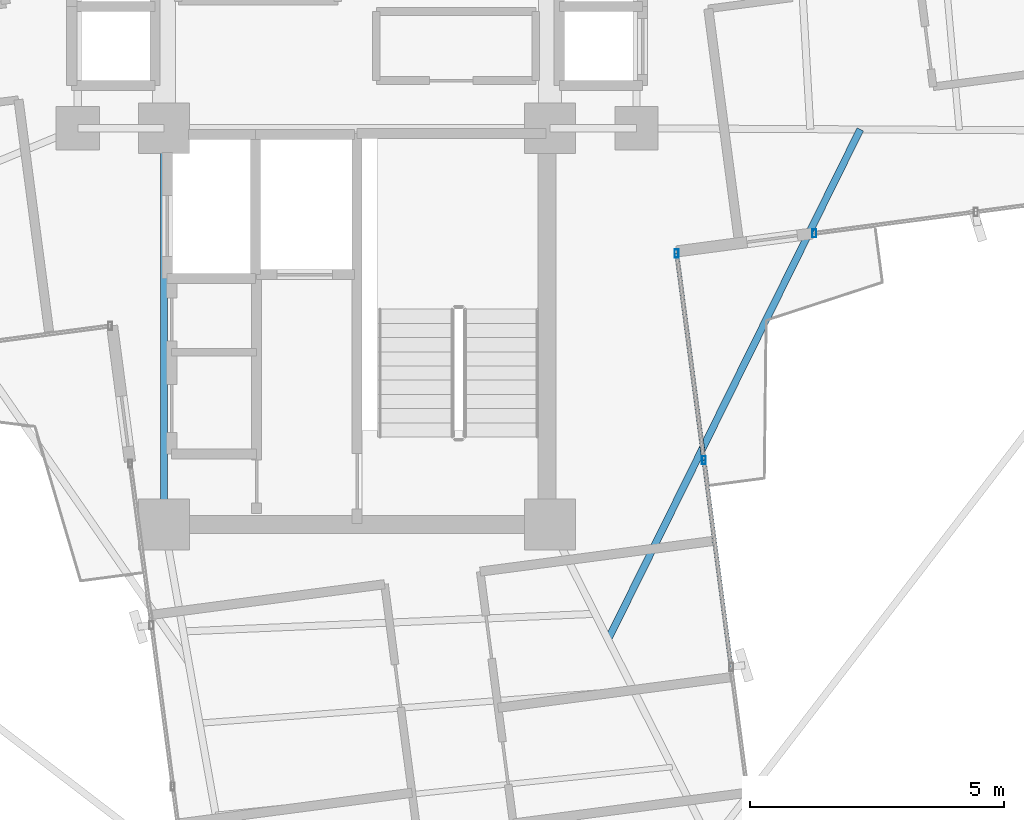
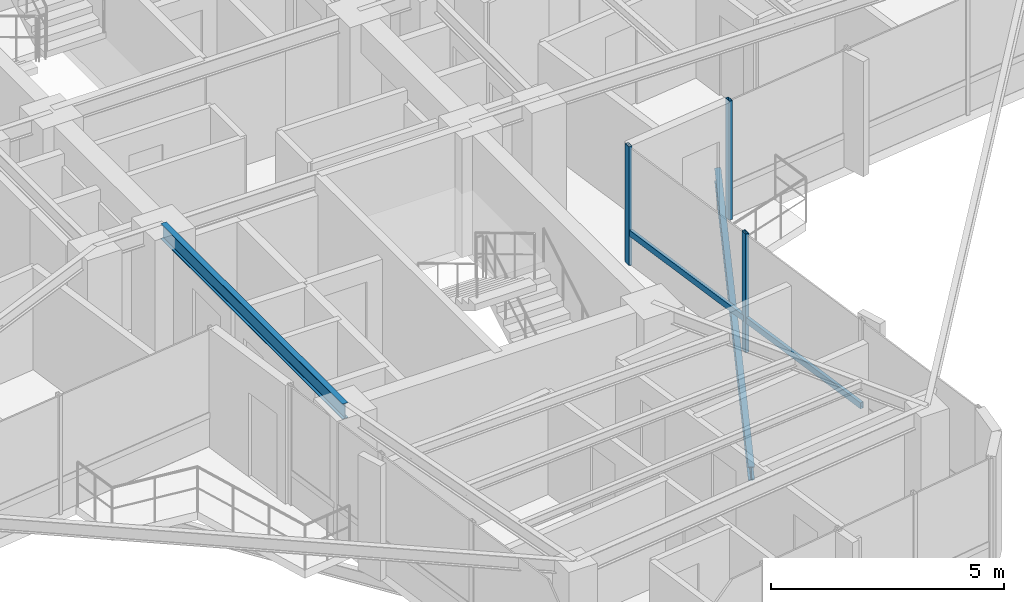
# One storey, part 5 of 23: 5 members, 2 beams, 2 elements without a shape of their own.
"""IFC4 building model written with IfcOpenShell, lengths in metres."""

from ifc_helpers import new_model, si_unit, direction, frame, origin, origin_2d, place, context, subcontext, project, spatial, hollow_rectangle, i_section, extrude, source, transform, mapped, material, material_profile, profile_set, type_object, element, aggregate, save


model = new_model("IFC4")

# Units and contexts
model_context = context("Model", 3, precision=1e-05, world=origin(), true_north=direction((0.0, 1.0)))
body_context = subcontext(model_context, "Body", "Model", "MODEL_VIEW")
ifc_project = project(units=[si_unit("LENGTHUNIT", "METRE"), si_unit("AREAUNIT", "SQUARE_METRE"), si_unit("VOLUMEUNIT", "CUBIC_METRE"), si_unit("PLANEANGLEUNIT", "RADIAN"), si_unit("MASSUNIT", "GRAM", prefix="KILO")], contexts=[model_context])

# Site, building, storey
site_placement = place(None, origin())
site = spatial("IfcSite", under=ifc_project, at=site_placement, CompositionType="ELEMENT")
building_placement = place(site_placement, origin())
building = spatial("IfcBuilding", under=site, at=building_placement, Name="Sahyath Konkavel Grand Hotel", CompositionType="ELEMENT")
storey_placement = place(building_placement, frame((0.0, 0.0, 254.550048828125)))
storey = spatial("IfcBuildingStorey", under=building, at=storey_placement, Name="L71", CompositionType="ELEMENT", Elevation=254.550048828125)

# Beam
ifc_material_1 = material(Name="Steel E350", Category="steel")
ifc_material_profile_1 = material_profile(ifc_material_1, i_section(OverallWidth=0.139892578125, OverallDepth=0.39990234375, WebThickness=0.0087890625, FlangeThickness=0.01611328125, FilletRadius=0.013916015625, at=origin_2d()), Name="ISMB 400")
ifc_profile_set_1 = profile_set([ifc_material_profile_1], Name="Steel E350")
beam_type_1 = type_object("IfcBeamType", Name="BM-ISMB400", PredefinedType="BEAM", material=ifc_profile_set_1)
shared_shape_1 = source(origin(), body_context, "Body", "SweptSolid", [
    extrude(i_section(OverallWidth=0.139892578125, OverallDepth=0.39990234375, WebThickness=0.0087890625, FlangeThickness=0.01611328125, FilletRadius=0.013916015625, at=origin_2d()), origin(), (0.0, 0.0, 1.0), 7.800048828125),
])
beam_1_placement = place(storey_placement, frame((-3.800048828125, -10.199951171875, 2.909912109375), z_axis=(0.0, 1.0, 0.0), x_axis=(-1.0, 0.0, 0.0)))
element("IfcBeam", 1, at=beam_1_placement, inside=storey, type_object=beam_type_1, Name="str:bm:L71:SC-W", PredefinedType="BEAM", context=body_context, shape_type="MappedRepresentation", body=[
    mapped(shared_shape_1, transform((0.0, 0.0, 0.0), scale=1.0)),
])

# Curtain wall, member
ifc_material_2 = material(Name="Anodised Bronze Aluminium & Low-E Glazing", Category="aluminium")
curtain_wall_type = type_object("IfcCurtainWallType", Name="CW-ZONE4", PredefinedType="NOTDEFINED", material=ifc_material_2)
curtain_wall_1_placement = place(storey_placement, origin())
curtain_wall_1 = element("IfcCurtainWall", 2, at=curtain_wall_1_placement, inside=storey, type_object=curtain_wall_type, Name="L71 Unitised Curtain Wall F0", PredefinedType="NOTDEFINED")
ifc_material_3 = material(Name="Anodised Bronze Aluminium", Category="aluminium")
ifc_material_profile_2 = material_profile(ifc_material_3, hollow_rectangle(XDim=0.080078125, YDim=0.159912109375, WallThickness=0.006103515625, at=origin_2d()), Name="RHS 160x80x6")
ifc_profile_set_2 = profile_set([ifc_material_profile_2], Name="Anodised Bronze Aluminium")
member_type_1 = type_object("IfcMemberType", Name="CW-MUL-160", PredefinedType="MULLION", material=ifc_profile_set_2)
shared_shape_2 = source(origin(), body_context, "Body", "SweptSolid", [
    extrude(hollow_rectangle(XDim=0.080078125, YDim=0.159912109375, WallThickness=0.006103515625, at=origin_2d()), origin(), (0.0, 0.0, 1.0), 3.10986328125),
])
member_1_placement = place(storey_placement, frame((9.004150390625, -4.467041015625, 0.0), z_axis=(0.0, 0.0, 1.0), x_axis=(1.0, 0.0, 0.0)))
member_1 = element("IfcMember", 3, at=member_1_placement, type_object=member_type_1, Name="L71 Curtain Wall Mullion F0-0", PredefinedType="MULLION", context=body_context, shape_type="MappedRepresentation", body=[
    mapped(shared_shape_2, transform((0.0, 0.0, 0.0), scale=1.0)),
])
aggregate(curtain_wall_1, [member_1])

# Curtain wall, members
curtain_wall_2_placement = place(storey_placement, origin())
curtain_wall_2 = element("IfcCurtainWall", 4, at=curtain_wall_2_placement, inside=storey, type_object=curtain_wall_type, Name="L71 Unitised Curtain Wall F31", PredefinedType="NOTDEFINED")
member_2_placement = place(storey_placement, frame((6.82861328125, -8.935546875, 0.0), z_axis=(0.0, 0.0, 1.0), x_axis=(1.0, 0.0, 0.0)))
member_2 = element("IfcMember", 5, at=member_2_placement, type_object=member_type_1, Name="L71 Curtain Wall Mullion F31-2", PredefinedType="MULLION", context=body_context, shape_type="MappedRepresentation", body=[
    mapped(shared_shape_2, transform((0.0, 0.0, 0.0), scale=1.0)),
])
member_3_placement = place(storey_placement, frame((6.292724609375, -4.8642578125, 0.0), z_axis=(0.0, 0.0, 1.0), x_axis=(1.0, 0.0, 0.0)))
member_3 = element("IfcMember", 6, at=member_3_placement, type_object=member_type_1, Name="L71 Curtain Wall Mullion F31-3", PredefinedType="MULLION", context=body_context, shape_type="MappedRepresentation", body=[
    mapped(shared_shape_2, transform((0.0, 0.0, 0.0), scale=1.0)),
])
ifc_material_profile_3 = material_profile(ifc_material_3, hollow_rectangle(XDim=0.080078125, YDim=0.159912109375, WallThickness=0.006103515625, at=origin_2d()), Name="RHS 160x80x6")
ifc_profile_set_3 = profile_set([ifc_material_profile_3], Name="Anodised Bronze Aluminium")
member_type_2 = type_object("IfcMemberType", Name="CW-TRN-160", PredefinedType="USERDEFINED", material=ifc_profile_set_3)
shared_shape_3 = source(origin(), body_context, "Body", "SweptSolid", [
    extrude(hollow_rectangle(XDim=0.080078125, YDim=0.159912109375, WallThickness=0.006103515625, at=origin_2d()), origin(), (0.0, 0.0, 1.0), 4.1064453125),
])
member_4_placement = place(storey_placement, frame((6.82861328125, -8.935546875, 0.849853515625), z_axis=(-0.13050065069, 0.991448223645, 0.0), x_axis=(-0.991448223645, -0.13050065069, 0.0)))
member_4 = element("IfcMember", 7, at=member_4_placement, type_object=member_type_2, Name="L71 Curtain Wall Transom F31-2-spandrel", ObjectType="TRANSOM", PredefinedType="USERDEFINED", context=body_context, shape_type="MappedRepresentation", body=[
    mapped(shared_shape_3, transform((0.0, 0.0, 0.0), scale=1.0)),
])
shared_shape_4 = source(origin(), body_context, "Body", "SweptSolid", [
    extrude(hollow_rectangle(XDim=0.080078125, YDim=0.159912109375, WallThickness=0.006103515625, at=origin_2d()), origin(), (0.0, 0.0, 1.0), 4.106201171875),
])
member_5_placement = place(storey_placement, frame((7.36474609375, -13.006591796875, 0.849853515625), z_axis=(-0.130566787247, 0.991439516092, 0.0), x_axis=(-0.991439516092, -0.130566787247, 0.0)))
member_5 = element("IfcMember", 8, at=member_5_placement, type_object=member_type_2, Name="L71 Curtain Wall Transom F31-1-spandrel", ObjectType="TRANSOM", PredefinedType="USERDEFINED", context=body_context, shape_type="MappedRepresentation", body=[
    mapped(shared_shape_4, transform((0.0, 0.0, 0.0), scale=1.0)),
])
aggregate(curtain_wall_2, [member_2, member_3, member_5, member_4])

# Beam
ifc_material_profile_4 = material_profile(ifc_material_1, i_section(OverallWidth=0.139892578125, OverallDepth=0.35009765625, WebThickness=0.008056640625, FlangeThickness=0.01416015625, FilletRadius=0.013916015625, at=origin_2d()), Name="ISMB 350")
ifc_profile_set_4 = profile_set([ifc_material_profile_4], Name="Steel E350")
beam_type_2 = type_object("IfcBeamType", Name="BM-BALC-CANT", PredefinedType="BEAM", material=ifc_profile_set_4)
shared_shape_5 = source(origin(), body_context, "Body", "SweptSolid", [
    extrude(i_section(OverallWidth=0.139892578125, OverallDepth=0.35009765625, WebThickness=0.008056640625, FlangeThickness=0.01416015625, FilletRadius=0.013916015625, at=origin_2d()), origin(), (0.0, 0.0, 1.0), 11.20458984375),
])
beam_2_placement = place(storey_placement, frame((4.941650390625, -12.46728515625, -0.4150390625), z_axis=(0.443112468043, 0.896466028729, 0.0), x_axis=(-0.896466028729, 0.443112468043, 0.0)))
element("IfcBeam", 9, at=beam_2_placement, inside=storey, type_object=beam_type_2, Name="L71 Balcony Cantilever Support Beam SE", PredefinedType="BEAM", context=body_context, shape_type="MappedRepresentation", body=[
    mapped(shared_shape_5, transform((0.0, 0.0, 0.0), scale=1.0)),
])

save(model, "model.ifc")
